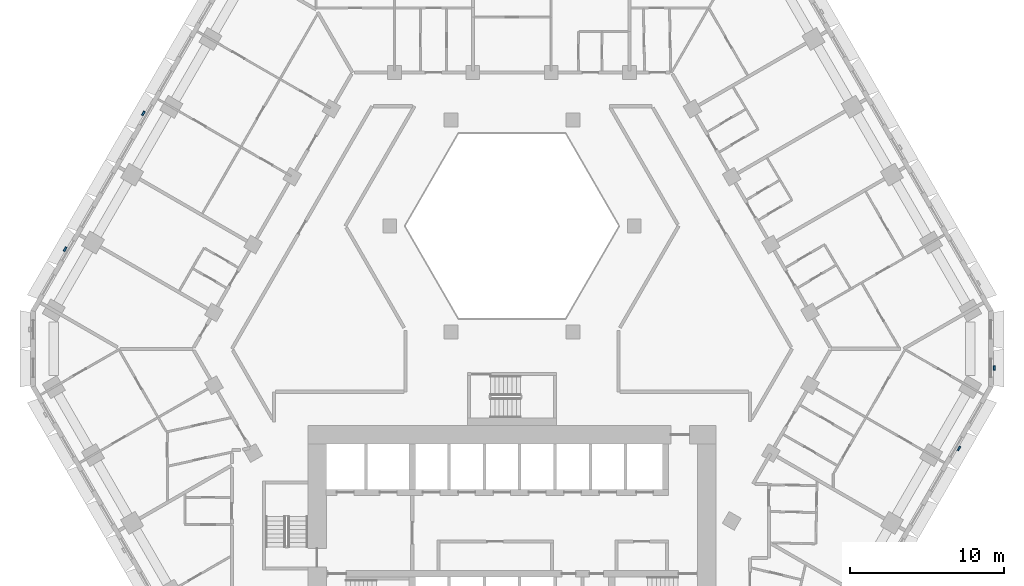
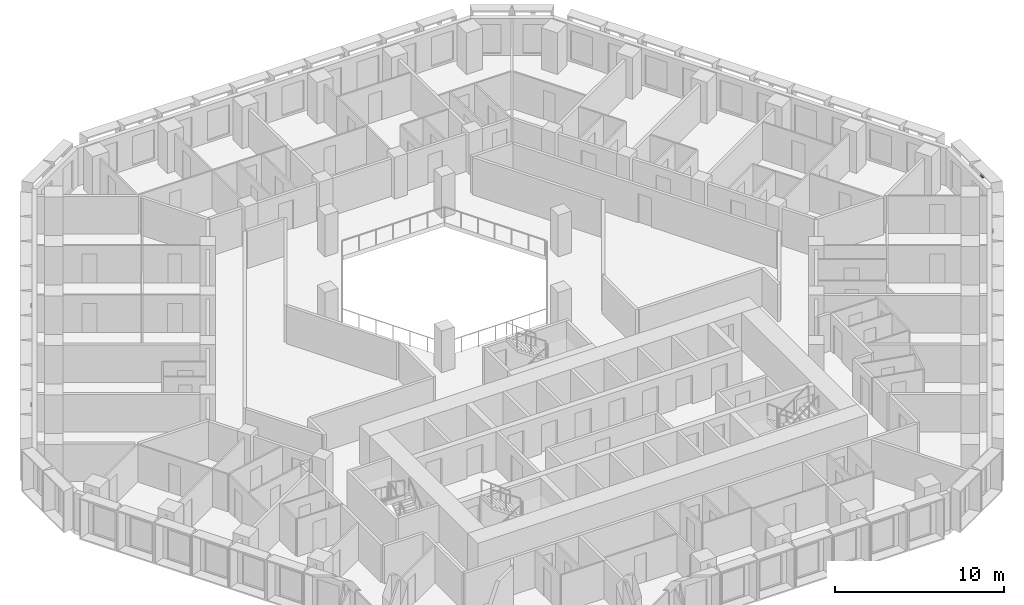
# One storey, part 14 of 21: 4 discrete accessories.
"""IFC4 building model written with IfcOpenShell, lengths in metres."""

from ifc_helpers import new_model, si_unit, direction, frame, origin, place, context, subcontext, project, spatial, polyline, outline, extrude, source, transform, mapped, material, type_object, type_shapes, element, save


model = new_model("IFC4")

# Units and contexts
model_context = context("Model", 3, precision=1e-05, world=origin(), true_north=direction((0.0, 1.0)))
body_context = subcontext(model_context, "Body", "Model", "MODEL_VIEW")
ifc_project = project(units=[si_unit("LENGTHUNIT", "METRE"), si_unit("AREAUNIT", "SQUARE_METRE"), si_unit("VOLUMEUNIT", "CUBIC_METRE"), si_unit("PLANEANGLEUNIT", "RADIAN"), si_unit("MASSUNIT", "GRAM", prefix="KILO")], contexts=[model_context])

# Site, building, storey
site_placement = place(None, origin())
site = spatial("IfcSite", under=ifc_project, at=site_placement, CompositionType="ELEMENT")
building_placement = place(site_placement, origin())
building = spatial("IfcBuilding", under=site, at=building_placement, Name="Beryl Residences", CompositionType="ELEMENT")
storey_placement = place(building_placement, frame((0.0, 0.0, 47.39990234375)))
storey = spatial("IfcBuildingStorey", under=building, at=storey_placement, Name="L14", CompositionType="ELEMENT", Elevation=47.39990234375)

# Discrete accessories
ifc_material = material(Name="Steel S355", Category="steel")
discrete_accessory_type = type_object("IfcDiscreteAccessoryType", Name="BR1 frame bracket 300 x 120 x 150 mm", PredefinedType="BRACKET", material=ifc_material)
shared_shape = source(origin(), body_context, "Body", "SweptSolid", [
    extrude(outline(polyline([(-0.14990234375, 0.0), (0.14990234375, 0.0), (0.14990234375, 0.1201171875), (-0.14990234375, 0.1201171875), (-0.14990234375, 0.0)])), origin(), (0.0, 0.0, 1.0), 0.14990234375),
])
type_shapes(discrete_accessory_type, [shared_shape])
for number, where, z_axis, x_axis, name in (
    (1, (-23.9580078125, 15.303955078125, 2.75), (0.0, 0.0, 1.0), (0.5, 0.866025403784, 0.0), "BR1 bracket L14 NW 5"),
    (2, (-29.06103515625, 6.464111328125, 2.75), (0.0, 0.0, 1.0), (0.5, 0.866025403784, 0.0), "BR1 bracket L14 NW 9"),
    (3, (29.06103515625, -6.464111328125, 2.75), (0.0, 0.0, 1.0), (-0.5, -0.866025403784, 0.0), "BR1 bracket L14 SE 9"),
    (4, (31.35009765625, -1.25, 2.75), (0.0, 0.0, 1.0), (0.0, -1.0, 0.0), "BR1 bracket L14 SE-NE 1"),
):
    element("IfcDiscreteAccessory", number, at=place(storey_placement, frame(where, z_axis=z_axis, x_axis=x_axis)), inside=storey, type_object=discrete_accessory_type, Name=name, PredefinedType="BRACKET", context=body_context, shape_type="MappedRepresentation", body=[
        mapped(shared_shape, transform((0.0, 0.0, 0.0))),
    ])

save(model, "model.ifc")
